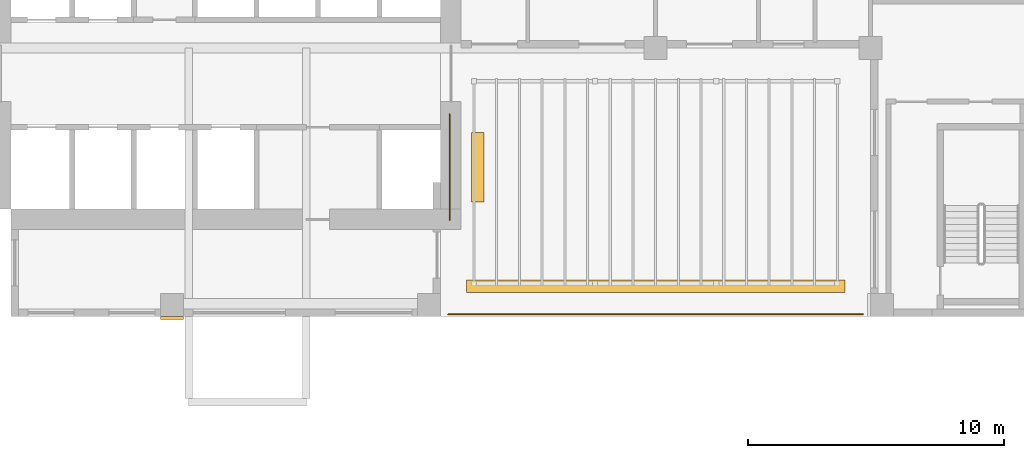
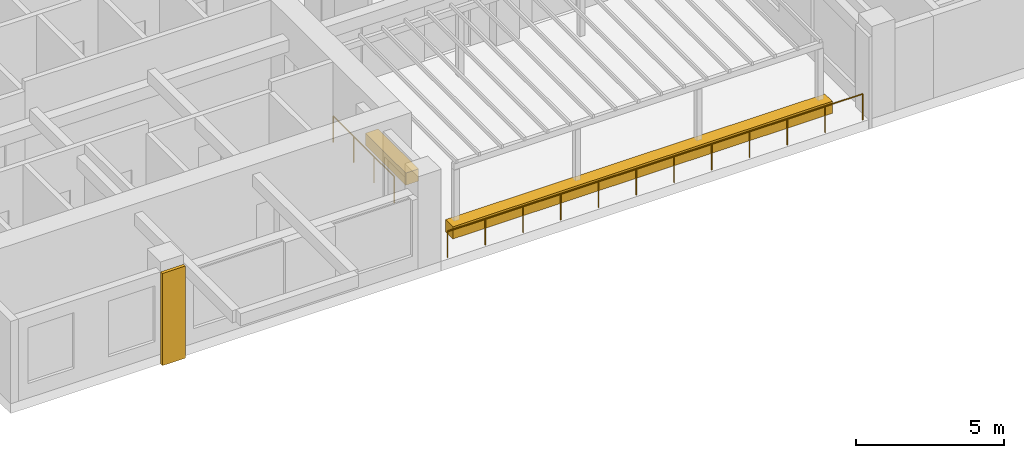
# One storey, part 10 of 13: 3 coverings, 2 railings.
"""IFC4 building model written with IfcOpenShell, lengths in metres."""

from ifc_helpers import new_model, si_unit, direction, frame, origin, origin_2d, place, context, subcontext, project, spatial, rectangle, circle, extrude, source, transform, mapped, material, type_object, element, save


model = new_model("IFC4")

# Units and contexts
model_context = context("Model", 3, precision=1e-05, world=origin(), true_north=direction((0.0, 1.0)))
body_context = subcontext(model_context, "Body", "Model", "MODEL_VIEW")
ifc_project = project(units=[si_unit("LENGTHUNIT", "METRE"), si_unit("AREAUNIT", "SQUARE_METRE"), si_unit("VOLUMEUNIT", "CUBIC_METRE"), si_unit("PLANEANGLEUNIT", "RADIAN"), si_unit("MASSUNIT", "GRAM", prefix="KILO")], contexts=[model_context])

# Site, building, storey
site_placement = place(None, origin())
site = spatial("IfcSite", under=ifc_project, at=site_placement, CompositionType="ELEMENT")
building_placement = place(site_placement, origin())
building = spatial("IfcBuilding", under=site, at=building_placement, Name="Aurelian Terraces", CompositionType="ELEMENT")
storey_placement = place(building_placement, frame((0.0, 0.0, 204.4)))
storey = spatial("IfcBuildingStorey", under=building, at=storey_placement, Name="L45", CompositionType="ELEMENT", Elevation=204.4)

# Railing
ifc_material_1 = material(Name="Anodised aluminium", Category="aluminium")
railing_type = type_object("IfcRailingType", Name="GUARD-1100", PredefinedType="GUARDRAIL", material=ifc_material_1)
shared_shape_1 = source(origin(), body_context, "Body", "SweptSolid", [
    extrude(circle(Radius=0.024, at=origin_2d()), frame((0.0, 0.0, 1.076), z_axis=(-1.0, 0.0, 0.0), x_axis=(0.0, -1.0, 0.0)), (0.0, 0.0, 1.0), 16.2),
    extrude(circle(Radius=0.021, at=origin_2d()), origin(), (0.0, 0.0, 1.0), 1.052),
    extrude(circle(Radius=0.021, at=origin_2d()), frame((-1.4727, 0.0, 0.0)), (0.0, 0.0, 1.0), 1.052),
    extrude(circle(Radius=0.021, at=origin_2d()), frame((-2.9455, 0.0, 0.0)), (0.0, 0.0, 1.0), 1.052),
    extrude(circle(Radius=0.021, at=origin_2d()), frame((-4.4182, 0.0, 0.0)), (0.0, 0.0, 1.0), 1.052),
    extrude(circle(Radius=0.021, at=origin_2d()), frame((-5.8909, 0.0, 0.0)), (0.0, 0.0, 1.0), 1.052),
    extrude(circle(Radius=0.021, at=origin_2d()), frame((-7.3636, 0.0, 0.0)), (0.0, 0.0, 1.0), 1.052),
    extrude(circle(Radius=0.021, at=origin_2d()), frame((-8.8364, 0.0, 0.0)), (0.0, 0.0, 1.0), 1.052),
    extrude(circle(Radius=0.021, at=origin_2d()), frame((-10.3091, 0.0, 0.0)), (0.0, 0.0, 1.0), 1.052),
    extrude(circle(Radius=0.021, at=origin_2d()), frame((-11.7818, 0.0, 0.0)), (0.0, 0.0, 1.0), 1.052),
    extrude(circle(Radius=0.021, at=origin_2d()), frame((-13.2545, 0.0, 0.0)), (0.0, 0.0, 1.0), 1.052),
    extrude(circle(Radius=0.021, at=origin_2d()), frame((-14.7273, 0.0, 0.0)), (0.0, 0.0, 1.0), 1.052),
    extrude(circle(Radius=0.021, at=origin_2d()), frame((-16.2, 0.0, 0.0)), (0.0, 0.0, 1.0), 1.052),
])
railing_1_placement = place(storey_placement, frame((37.5, 0.09, 0.0)))
element("IfcRailing", 1, at=railing_1_placement, inside=storey, type_object=railing_type, Name="Terrace guard L45 SKY-07-T1.1", PredefinedType="GUARDRAIL", context=body_context, shape_type="MappedRepresentation", body=[
    mapped(shared_shape_1, transform((0.0, 0.0, 0.0), scale=1.0)),
])

# Covering
ifc_material_2 = material(Name="Terracotta planter with planting soil", Category="masonry")
covering_type_1 = type_object("IfcCoveringType", Name="PLANTER-TROUGH", PredefinedType="USERDEFINED", material=ifc_material_2)
shared_shape_2 = source(origin(), body_context, "Body", "SweptSolid", [
    extrude(rectangle(XDim=14.8, YDim=0.5, at=origin_2d()), origin(), (0.0, 0.0, 1.0), 0.5),
])
covering_1_placement = place(storey_placement, frame((29.4, 1.19, 0.0), z_axis=(0.0, 0.0, 1.0), x_axis=(1.0, 0.0, 0.0)))
element("IfcCovering", 2, at=covering_1_placement, inside=storey, type_object=covering_type_1, Name="PLANTER L45 terrace SKY-07-T1-0.1", ObjectType="PLANTER", PredefinedType="USERDEFINED", context=body_context, shape_type="MappedRepresentation", body=[
    mapped(shared_shape_2, transform((0.0, 0.0, 0.0), scale=1.0)),
])

# Railing
shared_shape_3 = source(origin(), body_context, "Body", "SweptSolid", [
    extrude(circle(Radius=0.024, at=origin_2d()), frame((0.0, 0.0, 1.076), z_axis=(0.0, 1.0, 0.0), x_axis=(-1.0, 0.0, 0.0)), (0.0, 0.0, 1.0), 4.1242),
    extrude(circle(Radius=0.021, at=origin_2d()), origin(), (0.0, 0.0, 1.0), 1.052),
    extrude(circle(Radius=0.021, at=origin_2d()), frame((0.0, 1.3747, 0.0)), (0.0, 0.0, 1.0), 1.052),
    extrude(circle(Radius=0.021, at=origin_2d()), frame((0.0, 2.7495, 0.0)), (0.0, 0.0, 1.0), 1.052),
    extrude(circle(Radius=0.021, at=origin_2d()), frame((0.0, 4.1242, 0.0)), (0.0, 0.0, 1.0), 1.052),
])
railing_2_placement = place(storey_placement, frame((21.35, 3.7758, 0.0)))
element("IfcRailing", 3, at=railing_2_placement, inside=storey, type_object=railing_type, Name="Terrace guard L45 SKY-07-T1.2", PredefinedType="GUARDRAIL", context=body_context, shape_type="MappedRepresentation", body=[
    mapped(shared_shape_3, transform((0.0, 0.0, 0.0), scale=1.0)),
])

# Coverings
shared_shape_4 = source(origin(), body_context, "Body", "SweptSolid", [
    extrude(rectangle(XDim=0.5, YDim=2.7242, at=origin_2d()), origin(), (0.0, 0.0, 1.0), 0.5),
])
covering_2_placement = place(storey_placement, frame((22.45, 5.8379, 0.0), z_axis=(0.0, 0.0, 1.0), x_axis=(1.0, 0.0, 0.0)))
element("IfcCovering", 4, at=covering_2_placement, inside=storey, type_object=covering_type_1, Name="PLANTER L45 terrace SKY-07-T1-1.1", ObjectType="PLANTER", PredefinedType="USERDEFINED", context=body_context, shape_type="MappedRepresentation", body=[
    mapped(shared_shape_4, transform((0.0, 0.0, 0.0), scale=1.0)),
])
ifc_material_3 = material(Name="Terracotta rainscreen cladding relief", Category="masonry")
covering_type_2 = type_object("IfcCoveringType", Name="BAGUETTE-TC", PredefinedType="CLADDING", material=ifc_material_3)
shared_shape_5 = source(origin(), body_context, "Body", "SweptSolid", [
    extrude(rectangle(XDim=0.9, YDim=0.12, at=origin_2d()), origin(), (0.0, 0.0, 1.0), 3.8),
])
covering_3_placement = place(storey_placement, frame((10.5, -0.06, -0.4), z_axis=(0.0, 0.0, 1.0), x_axis=(1.0, 0.0, 0.0)))
element("IfcCovering", 5, at=covering_3_placement, inside=storey, type_object=covering_type_2, Name="BAGUETTE pier L45 1", PredefinedType="CLADDING", context=body_context, shape_type="MappedRepresentation", body=[
    mapped(shared_shape_5, transform((0.0, 0.0, 0.0), scale=1.0)),
])

save(model, "model.ifc")
